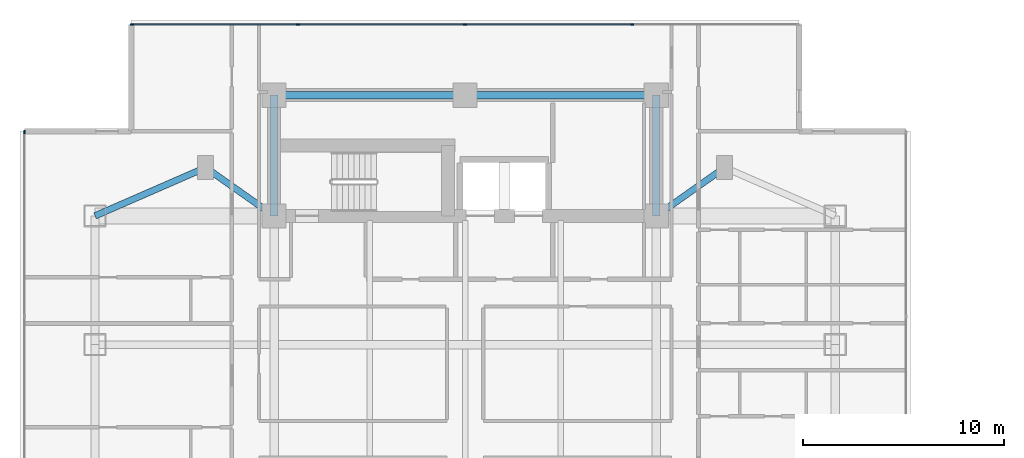
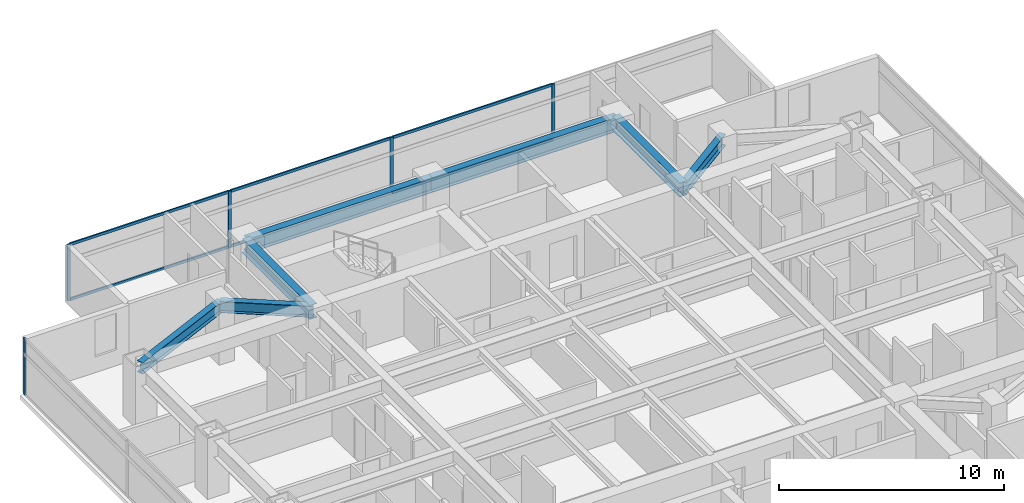
# One storey, part 7 of 26: 11 members, 7 beams, 2 elements without a shape of their own.
"""IFC4 building model written with IfcOpenShell, lengths in metres."""

from ifc_helpers import new_model, si_unit, direction, frame, origin, origin_2d, place, context, subcontext, project, spatial, rectangle, i_section, extrude, material, material_profile, profile_set, type_object, element, aggregate, save


model = new_model("IFC4")

# Units and contexts
model_context = context("Model", 3, precision=1e-05, world=origin(), true_north=direction((0.0, 1.0)))
body_context = subcontext(model_context, "Body", "Model", "MODEL_VIEW")
ifc_project = project(units=[si_unit("LENGTHUNIT", "METRE"), si_unit("AREAUNIT", "SQUARE_METRE"), si_unit("VOLUMEUNIT", "CUBIC_METRE"), si_unit("PLANEANGLEUNIT", "RADIAN"), si_unit("MASSUNIT", "GRAM", prefix="KILO")], contexts=[model_context])

# Site, building, storey
site_placement = place(None, origin())
site = spatial("IfcSite", under=ifc_project, at=site_placement, CompositionType="ELEMENT")
building_placement = place(site_placement, origin())
building = spatial("IfcBuilding", under=site, at=building_placement, Name="Mirazonda Arch Towers", CompositionType="ELEMENT")
storey_placement = place(building_placement, frame((0.0, 0.0, 108.199951171875)))
storey = spatial("IfcBuildingStorey", under=building, at=storey_placement, Name="L30", CompositionType="ELEMENT", Elevation=108.199951171875)

# Beams
ifc_material_1 = material(Name="Steel ASTM A992 Grade 50", Category="steel")
ifc_material_profile_1 = material_profile(ifc_material_1, i_section(OverallWidth=0.324951171875, OverallDepth=0.615966796875, WebThickness=0.013916015625, FlangeThickness=0.021484375, at=origin_2d()), Name="W24X117")
ifc_profile_set_1 = profile_set([ifc_material_profile_1], Name="Steel ASTM A992 Grade 50")
beam_type_1 = type_object("IfcBeamType", Name="BM-INT-W24X117", PredefinedType="BEAM", material=ifc_profile_set_1)
beam_1_placement = place(storey_placement, frame((7.60009765625, 40.0, 2.77197265625), z_axis=(0.816971114901, -0.576678591087, 0.0), x_axis=(0.576678591087, 0.816971114901, 0.0)))
element("IfcBeam", 1, at=beam_1_placement, inside=storey, type_object=beam_type_1, Name="L30 Floor Beam BM-T1-L30-PL-NW1", PredefinedType="BEAM", context=body_context, shape_type="SweptSolid", body=[
    extrude(i_section(OverallWidth=0.324951171875, OverallDepth=0.615966796875, WebThickness=0.013916015625, FlangeThickness=0.021484375, at=origin_2d()), origin(), (0.0, 0.0, 1.0), 4.16162109375),
])
beam_2_placement = place(storey_placement, frame((7.60009765625, 40.0, 2.77197265625), z_axis=(-0.916545343703, -0.399930785183, 0.0), x_axis=(0.399930785183, -0.916545343703, 0.0)))
element("IfcBeam", 2, at=beam_2_placement, inside=storey, type_object=beam_type_1, Name="L30 Floor Beam BM-T1-L30-PL-NW2", PredefinedType="BEAM", context=body_context, shape_type="SweptSolid", body=[
    extrude(i_section(OverallWidth=0.324951171875, OverallDepth=0.615966796875, WebThickness=0.013916015625, FlangeThickness=0.021484375, at=origin_2d()), origin(), (0.0, 0.0, 1.0), 6.000732421875),
])
beam_3_placement = place(storey_placement, frame((33.39990234375, 40.0, 2.77197265625), z_axis=(-0.816971114901, -0.576678591087, 0.0), x_axis=(0.576678591087, -0.816971114901, 0.0)))
element("IfcBeam", 3, at=beam_3_placement, inside=storey, type_object=beam_type_1, Name="L30 Floor Beam BM-T1-L30-PL-NE1", PredefinedType="BEAM", context=body_context, shape_type="SweptSolid", body=[
    extrude(i_section(OverallWidth=0.324951171875, OverallDepth=0.615966796875, WebThickness=0.013916015625, FlangeThickness=0.021484375, at=origin_2d()), origin(), (0.0, 0.0, 1.0), 4.16162109375),
])
ifc_material_profile_2 = material_profile(ifc_material_1, i_section(OverallWidth=0.381103515625, OverallDepth=0.77294921875, WebThickness=0.0166015625, FlangeThickness=0.027099609375, at=origin_2d()), Name="W30X173")
ifc_profile_set_2 = profile_set([ifc_material_profile_2], Name="Steel ASTM A992 Grade 50")
beam_type_2 = type_object("IfcBeamType", Name="BM-INT-W30X173", PredefinedType="USERDEFINED", material=ifc_profile_set_2)
for number, where, z_axis, x_axis, name in (
    (4, (11.0, 43.60009765625, 2.693603515625), (1.0, 0.0, 0.0), (0.0, 1.0, 0.0), "L30 Floor Beam BM-T1-L30-CN1"),
    (5, (20.5, 43.60009765625, 2.693603515625), (1.0, 0.0, 0.0), (0.0, 1.0, 0.0), "L30 Floor Beam BM-T1-L30-CN2"),
):
    element("IfcBeam", number, at=place(storey_placement, frame(where, z_axis=z_axis, x_axis=x_axis)), inside=storey, type_object=beam_type_2, Name=name, ObjectType="GIRDER", PredefinedType="USERDEFINED", context=body_context, shape_type="SweptSolid", body=[
        extrude(i_section(OverallWidth=0.381103515625, OverallDepth=0.77294921875, WebThickness=0.0166015625, FlangeThickness=0.027099609375, at=origin_2d()), origin(), (0.0, 0.0, 1.0), 9.5),
    ])
for number, where, z_axis, x_axis, name in (
    (6, (11.0, 37.60009765625, 2.693603515625), (0.0, 1.0, 0.0), (-1.0, 0.0, 0.0), "L30 Floor Beam BM-T1-L30-CNW"),
    (7, (30.0, 37.60009765625, 2.693603515625), (0.0, 1.0, 0.0), (-1.0, 0.0, 0.0), "L30 Floor Beam BM-T1-L30-CNE"),
):
    element("IfcBeam", number, at=place(storey_placement, frame(where, z_axis=z_axis, x_axis=x_axis)), inside=storey, type_object=beam_type_2, Name=name, ObjectType="GIRDER", PredefinedType="USERDEFINED", context=body_context, shape_type="SweptSolid", body=[
        extrude(i_section(OverallWidth=0.381103515625, OverallDepth=0.77294921875, WebThickness=0.0166015625, FlangeThickness=0.027099609375, at=origin_2d()), origin(), (0.0, 0.0, 1.0), 6.0),
    ])

# Curtain wall, members
ifc_material_2 = material(Name="Anodised Aluminium and Low-E Glass", Category="aluminium")
curtain_wall_type = type_object("IfcCurtainWallType", Name="CW-HTL-UNIT", PredefinedType="NOTDEFINED", material=ifc_material_2)
curtain_wall_1_placement = place(storey_placement, origin())
curtain_wall_1 = element("IfcCurtainWall", 8, at=curtain_wall_1_placement, inside=storey, type_object=curtain_wall_type, Name="L30 T1 N Facade CW-L30-T1-N", PredefinedType="NOTDEFINED")
ifc_material_3 = material(Name="Anodised Aluminium Alloy", Category="aluminium")
ifc_material_profile_3 = material_profile(ifc_material_3, rectangle(XDim=0.074951171875, YDim=0.1650390625, at=origin_2d()), Name="ALU-MULL-75x165")
ifc_profile_set_3 = profile_set([ifc_material_profile_3], Name="Anodised Aluminium Alloy")
member_type_1 = type_object("IfcMemberType", Name="MULL-CW-HTL-UNIT", PredefinedType="MULLION", material=ifc_profile_set_3)
member_1_placement = place(storey_placement, frame((3.9326171875, 47.117919921875, 0.0), z_axis=(0.0, 0.0, 1.0), x_axis=(0.0, 1.0, 0.0)))
member_1 = element("IfcMember", 9, at=member_1_placement, type_object=member_type_1, Name="CW-112 mullion 1", PredefinedType="MULLION", context=body_context, shape_type="SweptSolid", body=[
    extrude(rectangle(XDim=0.074951171875, YDim=0.1650390625, at=origin_2d()), origin(), (0.0, 0.0, 1.0), 3.06005859375),
])
member_2_placement = place(storey_placement, frame((12.197509765625, 47.117919921875, 0.0), z_axis=(0.0, 0.0, 1.0), x_axis=(0.0, 1.0, 0.0)))
member_2 = element("IfcMember", 10, at=member_2_placement, type_object=member_type_1, Name="CW-112 mullion 2", PredefinedType="MULLION", context=body_context, shape_type="SweptSolid", body=[
    extrude(rectangle(XDim=0.074951171875, YDim=0.1650390625, at=origin_2d()), origin(), (0.0, 0.0, 1.0), 3.06005859375),
])
member_3_placement = place(storey_placement, frame((20.5, 47.117919921875, 0.0), z_axis=(0.0, 0.0, 1.0), x_axis=(0.0, 1.0, 0.0)))
member_3 = element("IfcMember", 11, at=member_3_placement, type_object=member_type_1, Name="CW-112 mullion 3", PredefinedType="MULLION", context=body_context, shape_type="SweptSolid", body=[
    extrude(rectangle(XDim=0.074951171875, YDim=0.1650390625, at=origin_2d()), origin(), (0.0, 0.0, 1.0), 3.06005859375),
])
member_4_placement = place(storey_placement, frame((28.802490234375, 47.117919921875, 0.0), z_axis=(0.0, 0.0, 1.0), x_axis=(0.0, 1.0, 0.0)))
member_4 = element("IfcMember", 12, at=member_4_placement, type_object=member_type_1, Name="CW-112 mullion 4", PredefinedType="MULLION", context=body_context, shape_type="SweptSolid", body=[
    extrude(rectangle(XDim=0.074951171875, YDim=0.1650390625, at=origin_2d()), origin(), (0.0, 0.0, 1.0), 3.06005859375),
])

# Curtain wall, member
curtain_wall_2_placement = place(storey_placement, origin())
curtain_wall_2 = element("IfcCurtainWall", 13, at=curtain_wall_2_placement, inside=storey, type_object=curtain_wall_type, Name="L30 T1 W Facade CW-L30-T1-W", PredefinedType="NOTDEFINED")
member_5_placement = place(storey_placement, frame((-1.409912109375, 41.775390625, 0.0), z_axis=(0.0, 0.0, 1.0), x_axis=(1.0, 0.0, 0.0)))
member_5 = element("IfcMember", 14, at=member_5_placement, type_object=member_type_1, Name="CW-112 mullion 1", PredefinedType="MULLION", context=body_context, shape_type="SweptSolid", body=[
    extrude(rectangle(XDim=0.074951171875, YDim=0.1650390625, at=origin_2d()), origin(), (0.0, 0.0, 1.0), 3.06005859375),
])
aggregate(curtain_wall_2, [member_5])

# Member
ifc_material_profile_4 = material_profile(ifc_material_3, rectangle(XDim=0.074951171875, YDim=0.14501953125, at=origin_2d()), Name="ALU-TRAN-75x145")
ifc_profile_set_4 = profile_set([ifc_material_profile_4], Name="Anodised Aluminium Alloy")
member_type_2 = type_object("IfcMemberType", Name="TRAN-CW-HTL-UNIT", PredefinedType="USERDEFINED", material=ifc_profile_set_4)
member_6_placement = place(storey_placement, frame((3.969970703125, 47.117919921875, 0.03759765625), z_axis=(1.0, 0.0, 0.0), x_axis=(0.0, 1.0, 0.0)))
member_6 = element("IfcMember", 15, at=member_6_placement, type_object=member_type_2, Name="CW-112 transom 1.1", ObjectType="TRANSOM", PredefinedType="USERDEFINED", context=body_context, shape_type="SweptSolid", body=[
    extrude(rectangle(XDim=0.074951171875, YDim=0.14501953125, at=origin_2d()), origin(), (0.0, 0.0, 1.0), 8.18994140625),
])

member_7_placement = place(storey_placement, frame((3.969970703125, 47.117919921875, 3.0224609375), z_axis=(1.0, 0.0, 0.0), x_axis=(0.0, 1.0, 0.0)))
member_7 = element("IfcMember", 16, at=member_7_placement, type_object=member_type_2, Name="CW-112 transom 1.2", ObjectType="TRANSOM", PredefinedType="USERDEFINED", context=body_context, shape_type="SweptSolid", body=[
    extrude(rectangle(XDim=0.074951171875, YDim=0.14501953125, at=origin_2d()), origin(), (0.0, 0.0, 1.0), 8.18994140625),
])

member_8_placement = place(storey_placement, frame((12.235107421875, 47.117919921875, 0.03759765625), z_axis=(1.0, 0.0, 0.0), x_axis=(0.0, 1.0, 0.0)))
member_8 = element("IfcMember", 17, at=member_8_placement, type_object=member_type_2, Name="CW-112 transom 2.1", ObjectType="TRANSOM", PredefinedType="USERDEFINED", context=body_context, shape_type="SweptSolid", body=[
    extrude(rectangle(XDim=0.074951171875, YDim=0.14501953125, at=origin_2d()), origin(), (0.0, 0.0, 1.0), 8.227294921875),
])

member_9_placement = place(storey_placement, frame((12.235107421875, 47.117919921875, 3.0224609375), z_axis=(1.0, 0.0, 0.0), x_axis=(0.0, 1.0, 0.0)))
member_9 = element("IfcMember", 18, at=member_9_placement, type_object=member_type_2, Name="CW-112 transom 2.2", ObjectType="TRANSOM", PredefinedType="USERDEFINED", context=body_context, shape_type="SweptSolid", body=[
    extrude(rectangle(XDim=0.074951171875, YDim=0.14501953125, at=origin_2d()), origin(), (0.0, 0.0, 1.0), 8.227294921875),
])

member_10_placement = place(storey_placement, frame((20.53759765625, 47.117919921875, 0.03759765625), z_axis=(1.0, 0.0, 0.0), x_axis=(0.0, 1.0, 0.0)))
member_10 = element("IfcMember", 19, at=member_10_placement, type_object=member_type_2, Name="CW-112 transom 3.1", ObjectType="TRANSOM", PredefinedType="USERDEFINED", context=body_context, shape_type="SweptSolid", body=[
    extrude(rectangle(XDim=0.074951171875, YDim=0.14501953125, at=origin_2d()), origin(), (0.0, 0.0, 1.0), 8.227294921875),
])

member_11_placement = place(storey_placement, frame((20.53759765625, 47.117919921875, 3.0224609375), z_axis=(1.0, 0.0, 0.0), x_axis=(0.0, 1.0, 0.0)))
member_11 = element("IfcMember", 20, at=member_11_placement, type_object=member_type_2, Name="CW-112 transom 3.2", ObjectType="TRANSOM", PredefinedType="USERDEFINED", context=body_context, shape_type="SweptSolid", body=[
    extrude(rectangle(XDim=0.074951171875, YDim=0.14501953125, at=origin_2d()), origin(), (0.0, 0.0, 1.0), 8.227294921875),
])

aggregate(curtain_wall_1, [member_1, member_2, member_3, member_4, member_6, member_7, member_8, member_9, member_10, member_11])

save(model, "model.ifc")
